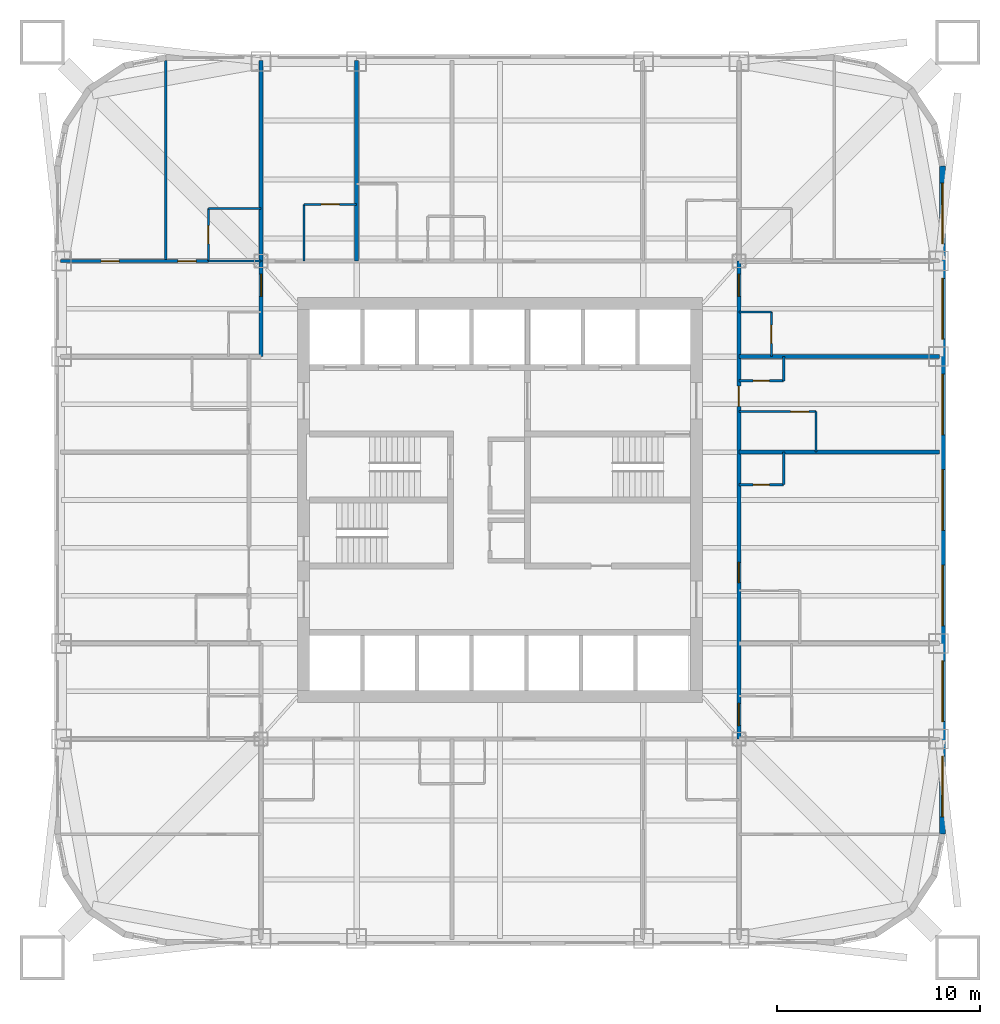
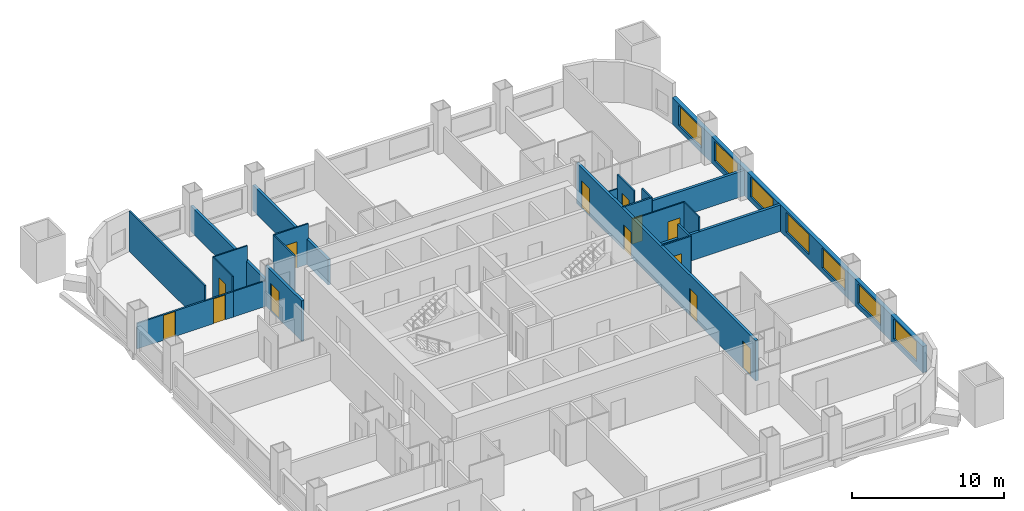
# One storey, part 6 of 9: 22 walls, 13 doors, 7 windows, 20 openings.
"""IFC4 building model written with IfcOpenShell, lengths in metres."""

import ifcopenshell
import ifcopenshell.guid

model = None  # the IFC model being written
_history = None  # IfcOwnerHistory: only IFC2X3 demands one
_inside = {}  # id of a spatial element -> (the spatial element, [elements in it])
_under = {}  # id of a project, library or spatial element -> (it, [spatial elements below it])
_declared = {}  # id of a project -> (the project, [libraries it declares])
_typed = {}  # id of a type object -> (the type object, [elements of that type])
_made_of = {}  # id of a material, layer set ... -> (it, [elements and type objects made of it])


def new_model(schema):
    """Start an empty IFC model of exactly this schema.

    Asked for "IFC4X3", IfcOpenShell would pick the latest addendum, in which some entities
    have other attributes; the version numbers below select the first issue.
    IFC2X3 requires an IfcOwnerHistory on every rooted entity: one is made here for all.
    """
    global model, _history
    if schema == "IFC4X3":
        model = ifcopenshell.file(schema_version=(4, 3, 0, 0))
    else:
        model = ifcopenshell.file(schema=schema)
    _inside.clear()
    _under.clear()
    _declared.clear()
    _typed.clear()
    _made_of.clear()
    _history = None
    if model.schema == "IFC2X3":
        org = make("IfcOrganization", Name="unknown")
        user = make(
            "IfcPersonAndOrganization",
            ThePerson=make("IfcPerson", FamilyName="unknown"),
            TheOrganization=org,
        )
        app = make(
            "IfcApplication",
            ApplicationDeveloper=org,
            Version="unknown",
            ApplicationFullName="unknown",
            ApplicationIdentifier="unknown",
        )
        _history = make(
            "IfcOwnerHistory",
            OwningUser=user,
            OwningApplication=app,
            ChangeAction="ADDED",
            CreationDate=0,
        )
    return model


def make(cls, **values):
    """One entity of the class cls with the attributes given. An attribute that is None is left unset."""
    return model.create_entity(
        cls, **{name: value for name, value in values.items() if value is not None}
    )


def rooted(cls, **values):
    """An entity with a GlobalId (a new one), such as an element, a storey or a relation."""
    return make(cls, GlobalId=ifcopenshell.guid.new(), OwnerHistory=_history, **values)


def si_unit(unit_type, name, prefix=None):
    """IfcSIUnit, for example si_unit("LENGTHUNIT", "METRE", prefix="MILLI")."""
    return make("IfcSIUnit", UnitType=unit_type, Prefix=prefix, Name=name)


def assignment(units):
    """IfcUnitAssignment: the units of a project."""
    return None if units is None else make("IfcUnitAssignment", Units=units)


def point(xyz):
    """IfcCartesianPoint."""
    return None if xyz is None else make("IfcCartesianPoint", Coordinates=xyz)


def direction(xyz):
    """IfcDirection."""
    return None if xyz is None else make("IfcDirection", DirectionRatios=xyz)


def frame(location, z_axis=None, x_axis=None):
    """IfcAxis2Placement3D, a coordinate frame: its origin and axes. An axis left out is left unset."""
    return make(
        "IfcAxis2Placement3D",
        Location=point(location),
        Axis=direction(z_axis),
        RefDirection=direction(x_axis),
    )


def frame_2d(location, x_axis=None):
    """IfcAxis2Placement2D, a coordinate frame in the plane: its origin and x axis."""
    return make(
        "IfcAxis2Placement2D", Location=point(location), RefDirection=direction(x_axis)
    )


def origin():
    """The frame at (0, 0, 0) with its axes left unset."""
    return frame((0.0, 0.0, 0.0))


def place(relative_to, where):
    """IfcLocalPlacement: puts the frame where relative to a parent placement (None: the world)."""
    return make(
        "IfcLocalPlacement", PlacementRelTo=relative_to, RelativePlacement=where
    )


def context(
    kind, dimensions, precision=None, world=None, true_north=None, identifier=None
):
    """IfcGeometricRepresentationContext, for example the 3D "Model" context."""
    return make(
        "IfcGeometricRepresentationContext",
        ContextIdentifier=identifier,
        ContextType=kind,
        CoordinateSpaceDimension=dimensions,
        Precision=precision,
        WorldCoordinateSystem=world,
        TrueNorth=true_north,
    )


def subcontext(parent, identifier, kind, view, scale=None):
    """IfcGeometricRepresentationSubContext, for example "Body" below "Model"."""
    return make(
        "IfcGeometricRepresentationSubContext",
        ContextIdentifier=identifier,
        ContextType=kind,
        ParentContext=parent,
        TargetScale=scale,
        TargetView=view,
    )


def project(units=None, contexts=None):
    """IfcProject with its units and contexts."""
    return rooted(
        "IfcProject",
        Name="project",
        RepresentationContexts=contexts,
        UnitsInContext=assignment(units),
    )


def spatial(cls, under=None, at=None, **own):
    """A site, building, storey or space (cls), placed at a placement, below another one or the project."""
    s = rooted(cls, ObjectPlacement=at, **own)
    if under is not None:
        _under.setdefault(under.id(), (under, []))[1].append(s)
    return s


def profile(cls, at=None, kind="AREA", **sizes):
    """A parametric profile (cls). Its sizes go by their IFC names, for example OverallWidth=200.0."""
    return make(cls, ProfileType=kind, Position=at, **sizes)


def rectangle(**sizes):
    """IfcRectangleProfileDef."""
    return profile("IfcRectangleProfileDef", **sizes)


def extrude(swept, where, along, depth):
    """IfcExtrudedAreaSolid: the profile swept, set in the frame where, extruded along a direction by depth."""
    return make(
        "IfcExtrudedAreaSolid",
        SweptArea=swept,
        Position=where,
        ExtrudedDirection=direction(along),
        Depth=depth,
    )


def shape(context_of_items, identifier, shape_type, items):
    """IfcShapeRepresentation: the items that make up one representation, for example the "Body"."""
    return make(
        "IfcShapeRepresentation",
        ContextOfItems=context_of_items,
        RepresentationIdentifier=identifier,
        RepresentationType=shape_type,
        Items=items,
    )


def material(Name=None, Category=None):
    """IfcMaterial."""
    return make("IfcMaterial", Name=Name, Category=Category)


def layer(
    of_material, thickness, ventilated=None, Name=None, Category=None, Priority=None
):
    """IfcMaterialLayer: one layer of a wall or slab, of a material (None: an air gap)."""
    return make(
        "IfcMaterialLayer",
        Material=of_material,
        LayerThickness=thickness,
        IsVentilated=ventilated,
        Name=Name,
        Category=Category,
        Priority=Priority,
    )


def layer_set(layers, Name=None):
    """IfcMaterialLayerSet."""
    return make("IfcMaterialLayerSet", MaterialLayers=layers, LayerSetName=Name)


def made_of(thing, what):
    """Note that an element or type object is made of a material, layer set ...; save() writes the relation."""
    if what is not None:
        _made_of.setdefault(what.id(), (what, []))[1].append(thing)
    return thing


def type_object(cls, material=None, **own):
    """A type object (cls), such as IfcWallType, which elements share."""
    return made_of(rooted(cls, **own), material)


def element(
    cls,
    number,
    at=None,
    inside=None,
    cuts=None,
    type_object=None,
    material=None,
    context=None,
    identifier="Body",
    shape_type=None,
    held_by="IfcProductDefinitionShape",
    body=None,
    shapes=None,
    **own,
):
    """One element of the class cls, such as IfcWall. Its Tag is "e" and its number.

    at: its placement. inside: the storey or other place that contains it. cuts: it is an
    opening in that element (IfcRelVoidsElement). A single representation is given by context,
    identifier, shape_type and body (its items); several are given by shapes. held_by: the class
    of the entity that holds the representations. save() writes the other relations.
    """
    e = rooted(cls, Tag="e%d" % number, ObjectPlacement=at, **own)
    if body is not None:
        shapes = [shape(context, identifier, shape_type, body)]
    if shapes is not None:
        e.Representation = make(held_by, Representations=shapes)
    if inside is not None:
        _inside.setdefault(inside.id(), (inside, []))[1].append(e)
    if cuts is not None:
        rooted(
            "IfcRelVoidsElement", RelatingBuildingElement=cuts, RelatedOpeningElement=e
        )
    if type_object is not None:
        _typed.setdefault(type_object.id(), (type_object, []))[1].append(e)
    return made_of(e, material)


def fill(opening, filler):
    """IfcRelFillsElement: the door or window that sits in an opening."""
    return rooted(
        "IfcRelFillsElement",
        RelatingOpeningElement=opening,
        RelatedBuildingElement=filler,
    )


def aggregate(whole, parts):
    """IfcRelAggregates: a whole, such as a stair, and the parts it consists of."""
    return rooted("IfcRelAggregates", RelatingObject=whole, RelatedObjects=parts)


def save(model, path):
    """Write the relations noted so far, then the file.

    IfcRelAggregates (storeys below a building ...), IfcRelContainedInSpatialStructure (elements
    in a storey), IfcRelDefinesByType, IfcRelAssociatesMaterial and IfcRelDeclares: one each for
    every whole, place, type object, material and project.
    """
    for whole, parts in _under.values():
        aggregate(whole, parts)
    for where, things in _inside.values():
        rooted(
            "IfcRelContainedInSpatialStructure",
            RelatedElements=things,
            RelatingStructure=where,
        )
    for kind, things in _typed.values():
        rooted("IfcRelDefinesByType", RelatedObjects=things, RelatingType=kind)
    for what, things in _made_of.values():
        rooted("IfcRelAssociatesMaterial", RelatedObjects=things, RelatingMaterial=what)
    for by, libraries in _declared.values():
        rooted("IfcRelDeclares", RelatingContext=by, RelatedDefinitions=libraries)
    model.write(path)


model = new_model("IFC4")

# Units and contexts
model_context = context("Model", 3, precision=1e-05, world=origin(), true_north=direction((0.0, 1.0)))
body_context = subcontext(model_context, "Body", "Model", "MODEL_VIEW")
ifc_project = project(units=[si_unit("LENGTHUNIT", "METRE"), si_unit("AREAUNIT", "SQUARE_METRE"), si_unit("VOLUMEUNIT", "CUBIC_METRE"), si_unit("PLANEANGLEUNIT", "RADIAN"), si_unit("MASSUNIT", "GRAM", prefix="KILO")], contexts=[model_context])

# Site, building, storey
site_placement = place(None, origin())
site = spatial("IfcSite", under=ifc_project, at=site_placement, CompositionType="ELEMENT")
building_placement = place(site_placement, origin())
building = spatial("IfcBuilding", under=site, at=building_placement, Name="Turquesa Mirador Hotel Tower", CompositionType="ELEMENT")
storey_placement = place(building_placement, frame((0.0, 0.0, 84.5)))
storey = spatial("IfcBuildingStorey", under=building, at=storey_placement, Name="L22", CompositionType="ELEMENT", Elevation=84.5)

# Walls
ifc_material_1 = material(Name="Gypsum board on steel studs", Category="steel")
ifc_layer_1 = layer(ifc_material_1, 0.10009765625)
ifc_layer_set_1 = layer_set([ifc_layer_1], Name="BATHROOM WALL 100")
wall_type_1 = type_object("IfcWallType", Name="BATHROOM WALL 100", PredefinedType="PARTITIONING", material=ifc_layer_set_1)
wall_1_placement = place(storey_placement, frame((40.60009765625, 56.800048828125, 0.0), z_axis=(0.0, 0.0, 1.0), x_axis=(1.0, 0.0, 0.0)))
element("IfcWall", 1, at=wall_1_placement, inside=storey, type_object=wall_type_1, Name="Partition L22 018", PredefinedType="PARTITIONING", context=body_context, shape_type="SweptSolid", body=[
    extrude(rectangle(XDim=2.599853515625, YDim=0.10009765625, at=frame_2d((1.2998046875, 0.0))), origin(), (0.0, 0.0, 1.0), 2.050048828125),
])
wall_2_placement = place(storey_placement, frame((40.60009765625, 59.39990234375, 0.0), z_axis=(0.0, 0.0, 1.0), x_axis=(1.0, 0.0, 0.0)))
element("IfcWall", 2, at=wall_2_placement, inside=storey, type_object=wall_type_1, Name="Partition L22 025", PredefinedType="PARTITIONING", context=body_context, shape_type="SweptSolid", body=[
    extrude(rectangle(XDim=2.599853515625, YDim=0.10009765625, at=frame_2d((1.2998046875, 0.0))), origin(), (0.0, 0.0, 1.0), 3.25),
])

# Wall, opening, door
wall_3_placement = place(storey_placement, frame((45.320068359375, 59.60009765625, 0.0), z_axis=(0.0, 0.0, 1.0), x_axis=(1.0, 0.0, 0.0)))
wall_3 = element("IfcWall", 3, at=wall_3_placement, inside=storey, type_object=wall_type_1, Name="Partition L22 027", PredefinedType="PARTITIONING", context=body_context, shape_type="SweptSolid", body=[
    extrude(rectangle(XDim=2.599853515625, YDim=0.10009765625, at=frame_2d((1.2998046875, 0.0))), origin(), (0.0, 0.0, 1.0), 3.25),
])
opening_1_placement = place(wall_3_placement, frame((0.85009765625, 0.0, 0.0)))
opening_1 = element("IfcOpeningElement", 4, at=opening_1_placement, cuts=wall_3, Name="Opening D02", PredefinedType="OPENING", context=body_context, shape_type="SweptSolid", body=[
    extrude(rectangle(XDim=0.89990234375, YDim=2.10009765625, at=frame_2d((0.449951171875, 1.050048828125))), frame((0.0, 0.06005859375, 0.0), z_axis=(0.0, -1.0, 0.0), x_axis=(1.0, 0.0, 0.0)), (0.0, 0.0, 1.0), 0.1201171875),
])
ifc_material_2 = material(Name="Timber veneered door", Category="wood")
door_type_1 = type_object("IfcDoorType", Name="DOOR 900X2100 EN-SUITE", OperationType="SINGLE_SWING_RIGHT", PredefinedType="DOOR", material=ifc_material_2)
door_1_placement = place(opening_1_placement, origin())
door_1 = element("IfcDoor", 5, at=door_1_placement, inside=storey, type_object=door_type_1, Name="Door 2201B", OperationType="SINGLE_SWING_RIGHT", OverallHeight=2.10009765625, OverallWidth=0.89990234375, PredefinedType="DOOR", context=body_context, shape_type="SweptSolid", body=[
    extrude(rectangle(XDim=0.89990234375, YDim=2.10009765625, at=frame_2d((0.449951171875, 1.050048828125))), frame((0.0, 0.02490234375, 0.0), z_axis=(0.0, -1.0, 0.0), x_axis=(1.0, 0.0, 0.0)), (0.0, 0.0, 1.0), 0.050048828125),
])
fill(opening_1, door_1)

wall_4_placement = place(storey_placement, frame((66.800048828125, 49.360107421875, 0.0), z_axis=(0.0, 0.0, 1.0), x_axis=(1.0, 0.0, 0.0)))
wall_4 = element("IfcWall", 6, at=wall_4_placement, inside=storey, type_object=wall_type_1, Name="Partition L22 032", PredefinedType="PARTITIONING", context=body_context, shape_type="SweptSolid", body=[
    extrude(rectangle(XDim=3.800048828125, YDim=0.10009765625, at=frame_2d((1.89990234375, 0.0))), origin(), (0.0, 0.0, 1.0), 3.25),
])
opening_2_placement = place(wall_4_placement, frame((2.550048828125, 0.0, 0.0)))
opening_2 = element("IfcOpeningElement", 7, at=opening_2_placement, cuts=wall_4, Name="Opening D02", PredefinedType="OPENING", context=body_context, shape_type="SweptSolid", body=[
    extrude(rectangle(XDim=0.89990234375, YDim=2.10009765625, at=frame_2d((0.449951171875, 1.050048828125))), frame((0.0, 0.06005859375, 0.0), z_axis=(0.0, -1.0, 0.0), x_axis=(1.0, 0.0, 0.0)), (0.0, 0.0, 1.0), 0.1201171875),
])
door_2_placement = place(opening_2_placement, origin())
door_2 = element("IfcDoor", 8, at=door_2_placement, inside=storey, type_object=door_type_1, Name="Door 2207B", OperationType="SINGLE_SWING_RIGHT", OverallHeight=2.10009765625, OverallWidth=0.89990234375, PredefinedType="DOOR", context=body_context, shape_type="SweptSolid", body=[
    extrude(rectangle(XDim=0.89990234375, YDim=2.10009765625, at=frame_2d((0.449951171875, 1.050048828125))), frame((0.0, 0.02490234375, 0.0), z_axis=(0.0, -1.0, 0.0), x_axis=(1.0, 0.0, 0.0)), (0.0, 0.0, 1.0), 0.050048828125),
])
fill(opening_2, door_2)

# Wall
wall_5_placement = place(storey_placement, frame((66.800048828125, 54.280029296875, 0.0), z_axis=(0.0, 0.0, 1.0), x_axis=(1.0, 0.0, 0.0)))
element("IfcWall", 9, at=wall_5_placement, inside=storey, type_object=wall_type_1, Name="Partition L22 039", PredefinedType="PARTITIONING", context=body_context, shape_type="SweptSolid", body=[
    extrude(rectangle(XDim=1.599853515625, YDim=0.10009765625, at=frame_2d((0.7998046875, 0.0))), origin(), (0.0, 0.0, 1.0), 2.13232421875),
])

# Wall, opening, door
wall_6_placement = place(storey_placement, frame((40.60009765625, 56.800048828125, 0.0), z_axis=(0.0, 0.0, 1.0), x_axis=(0.0, 1.0, 0.0)))
wall_6 = element("IfcWall", 10, at=wall_6_placement, inside=storey, type_object=wall_type_1, Name="Partition L22 049", PredefinedType="PARTITIONING", context=body_context, shape_type="SweptSolid", body=[
    extrude(rectangle(XDim=2.599853515625, YDim=0.10009765625, at=frame_2d((1.2998046875, 0.0))), origin(), (0.0, 0.0, 1.0), 3.25),
])
opening_3_placement = place(wall_6_placement, frame((0.85009765625, 0.0, 0.0)))
opening_3 = element("IfcOpeningElement", 11, at=opening_3_placement, cuts=wall_6, Name="Opening D02", PredefinedType="OPENING", context=body_context, shape_type="SweptSolid", body=[
    extrude(rectangle(XDim=0.89990234375, YDim=2.10009765625, at=frame_2d((0.449951171875, 1.050048828125))), frame((0.0, 0.06005859375, 0.0), z_axis=(0.0, -1.0, 0.0), x_axis=(1.0, 0.0, 0.0)), (0.0, 0.0, 1.0), 0.1201171875),
])
door_3_placement = place(opening_3_placement, origin())
door_3 = element("IfcDoor", 12, at=door_3_placement, inside=storey, type_object=door_type_1, Name="Door 2210B", OperationType="SINGLE_SWING_RIGHT", OverallHeight=2.10009765625, OverallWidth=0.89990234375, PredefinedType="DOOR", context=body_context, shape_type="SweptSolid", body=[
    extrude(rectangle(XDim=0.89990234375, YDim=2.10009765625, at=frame_2d((0.449951171875, 1.050048828125))), frame((0.0, 0.02490234375, 0.0), z_axis=(0.0, -1.0, 0.0), x_axis=(1.0, 0.0, 0.0)), (0.0, 0.0, 1.0), 0.050048828125),
])
fill(opening_3, door_3)

# Wall
wall_7_placement = place(storey_placement, frame((45.320068359375, 56.800048828125, 0.0), z_axis=(0.0, 0.0, 1.0), x_axis=(0.0, 1.0, 0.0)))
element("IfcWall", 13, at=wall_7_placement, inside=storey, type_object=wall_type_1, Name="Partition L22 061", PredefinedType="PARTITIONING", context=body_context, shape_type="SweptSolid", body=[
    extrude(rectangle(XDim=2.800048828125, YDim=0.10009765625, at=frame_2d((1.39990234375, 0.0))), origin(), (0.0, 0.0, 1.0), 3.25),
])

# Wall, opening, door
wall_8_placement = place(storey_placement, frame((68.39990234375, 52.080078125, 0.0), z_axis=(0.0, 0.0, 1.0), x_axis=(0.0, 1.0, 0.0)))
wall_8 = element("IfcWall", 14, at=wall_8_placement, inside=storey, type_object=wall_type_1, Name="Partition L22 065", PredefinedType="PARTITIONING", context=body_context, shape_type="SweptSolid", body=[
    extrude(rectangle(XDim=2.199951171875, YDim=0.10009765625, at=frame_2d((1.10009765625, 0.0))), origin(), (0.0, 0.0, 1.0), 3.25),
])
opening_4_placement = place(wall_8_placement, frame((0.64990234375, 0.0, 0.0)))
opening_4 = element("IfcOpeningElement", 15, at=opening_4_placement, cuts=wall_8, Name="Opening D06", PredefinedType="OPENING", context=body_context, shape_type="SweptSolid", body=[
    extrude(rectangle(XDim=0.89990234375, YDim=2.10009765625, at=frame_2d((0.449951171875, 1.050048828125))), frame((0.0, 0.06005859375, 0.0), z_axis=(0.0, -1.0, 0.0), x_axis=(1.0, 0.0, 0.0)), (0.0, 0.0, 1.0), 0.1201171875),
])
ifc_material_3 = material(Name="Laminate door", Category="wood")
door_type_2 = type_object("IfcDoorType", Name="DOOR 900X2100 WC", OperationType="SINGLE_SWING_LEFT", PredefinedType="DOOR", material=ifc_material_3)
door_4_placement = place(opening_4_placement, origin())
door_4 = element("IfcDoor", 16, at=door_4_placement, inside=storey, type_object=door_type_2, Name="Door 2209W", OperationType="SINGLE_SWING_LEFT", OverallHeight=2.10009765625, OverallWidth=0.89990234375, PredefinedType="DOOR", context=body_context, shape_type="SweptSolid", body=[
    extrude(rectangle(XDim=0.89990234375, YDim=2.10009765625, at=frame_2d((0.449951171875, 1.050048828125))), frame((0.0, 0.02490234375, 0.0), z_axis=(0.0, -1.0, 0.0), x_axis=(1.0, 0.0, 0.0)), (0.0, 0.0, 1.0), 0.050048828125),
])
fill(opening_4, door_4)

# Wall
wall_9_placement = place(storey_placement, frame((70.60009765625, 47.360107421875, 0.0), z_axis=(0.0, 0.0, 1.0), x_axis=(0.0, 1.0, 0.0)))
element("IfcWall", 17, at=wall_9_placement, inside=storey, type_object=wall_type_1, Name="Partition L22 072", PredefinedType="PARTITIONING", context=body_context, shape_type="SweptSolid", body=[
    extrude(rectangle(XDim=2.0, YDim=0.10009765625, at=frame_2d((1.0, 0.0))), origin(), (0.0, 0.0, 1.0), 3.25),
])

# Wall, opening, door
ifc_material_4 = material(Name="Fire-rated gypsum board on steel studs", Category="steel")
ifc_layer_2 = layer(ifc_material_4, 0.199951171875)
ifc_layer_set_2 = layer_set([ifc_layer_2], Name="CORRIDOR WALL 200")
wall_type_2 = type_object("IfcWallType", Name="CORRIDOR WALL 200", PredefinedType="PARTITIONING", material=ifc_layer_set_2)
wall_10_placement = place(storey_placement, frame((43.199951171875, 52.080078125, 0.0), z_axis=(0.0, 0.0, 1.0), x_axis=(0.0, 1.0, 0.0)))
wall_10 = element("IfcWall", 18, at=wall_10_placement, inside=storey, type_object=wall_type_2, Name="Partition L22 043", PredefinedType="PARTITIONING", context=body_context, shape_type="SweptSolid", body=[
    extrude(rectangle(XDim=4.719970703125, YDim=0.199951171875, at=frame_2d((2.35986328125, 0.0))), origin(), (0.0, 0.0, 1.0), 3.25),
])
opening_5_placement = place(wall_10_placement, frame((2.969970703125, 0.0, 0.0)))
opening_5 = element("IfcOpeningElement", 19, at=opening_5_placement, cuts=wall_10, Name="Opening D15", PredefinedType="OPENING", context=body_context, shape_type="SweptSolid", body=[
    extrude(rectangle(XDim=1.10009765625, YDim=2.199951171875, at=frame_2d((0.550048828125, 1.10009765625))), frame((0.0, 0.10986328125, 0.0), z_axis=(0.0, -1.0, 0.0), x_axis=(1.0, 0.0, 0.0)), (0.0, 0.0, 1.0), 0.219970703125),
])
ifc_material_5 = material(Name="Timber veneered fire door", Category="wood")
door_type_3 = type_object("IfcDoorType", Name="DOOR 1100X2200 SUITE ENTRY", OperationType="SINGLE_SWING_LEFT", PredefinedType="DOOR", material=ifc_material_5)
door_5_placement = place(opening_5_placement, origin())
door_5 = element("IfcDoor", 20, at=door_5_placement, inside=storey, type_object=door_type_3, Name="Door 2210", OperationType="SINGLE_SWING_LEFT", OverallHeight=2.199951171875, OverallWidth=1.10009765625, PredefinedType="DOOR", context=body_context, shape_type="SweptSolid", body=[
    extrude(rectangle(XDim=1.10009765625, YDim=2.199951171875, at=frame_2d((0.550048828125, 1.10009765625))), frame((0.0, 0.02490234375, 0.0), z_axis=(0.0, -1.0, 0.0), x_axis=(1.0, 0.0, 0.0)), (0.0, 0.0, 1.0), 0.050048828125),
])
fill(opening_5, door_5)

# Wall, openings, doors
wall_11_placement = place(storey_placement, frame((66.800048828125, 33.199951171875, 0.0), z_axis=(0.0, 0.0, 1.0), x_axis=(0.0, 1.0, 0.0)))
wall_11 = element("IfcWall", 21, at=wall_11_placement, inside=storey, type_object=wall_type_2, Name="Partition L22 062", PredefinedType="PARTITIONING", context=body_context, shape_type="SweptSolid", body=[
    extrude(rectangle(XDim=23.60009765625, YDim=0.199951171875, at=frame_2d((11.800048828125, 0.0))), origin(), (0.0, 0.0, 1.0), 3.25),
])
opening_6_placement = place(wall_11_placement, frame((7.719970703125, 0.0, 0.0)))
opening_6 = element("IfcOpeningElement", 22, at=opening_6_placement, cuts=wall_11, Name="Opening D01", PredefinedType="OPENING", context=body_context, shape_type="SweptSolid", body=[
    extrude(rectangle(XDim=1.0, YDim=2.199951171875, at=frame_2d((0.5, 1.10009765625))), frame((0.0, 0.10986328125, 0.0), z_axis=(0.0, -1.0, 0.0), x_axis=(1.0, 0.0, 0.0)), (0.0, 0.0, 1.0), 0.219970703125),
])
opening_7_placement = place(wall_11_placement, frame((16.419921875, 0.0, 0.0)))
opening_7 = element("IfcOpeningElement", 23, at=opening_7_placement, cuts=wall_11, Name="Opening D22", PredefinedType="OPENING", context=body_context, shape_type="SweptSolid", body=[
    extrude(rectangle(XDim=1.0, YDim=2.0, at=frame_2d((0.5, 1.0))), frame((0.0, 0.10986328125, 0.0), z_axis=(0.0, -1.0, 0.0), x_axis=(1.0, 0.0, 0.0)), (0.0, 0.0, 1.0), 0.219970703125),
])
opening_8_placement = place(wall_11_placement, frame((21.85009765625, 0.0, 0.0)))
opening_8 = element("IfcOpeningElement", 24, at=opening_8_placement, cuts=wall_11, Name="Opening D15", PredefinedType="OPENING", context=body_context, shape_type="SweptSolid", body=[
    extrude(rectangle(XDim=1.10009765625, YDim=2.199951171875, at=frame_2d((0.550048828125, 1.10009765625))), frame((0.0, 0.10986328125, 0.0), z_axis=(0.0, -1.0, 0.0), x_axis=(1.0, 0.0, 0.0)), (0.0, 0.0, 1.0), 0.219970703125),
])
opening_9_placement = place(wall_11_placement, frame((0.659912109375, 0.0, 0.0)))
opening_9 = element("IfcOpeningElement", 25, at=opening_9_placement, cuts=wall_11, Name="Opening D15", PredefinedType="OPENING", context=body_context, shape_type="SweptSolid", body=[
    extrude(rectangle(XDim=1.10009765625, YDim=2.199951171875, at=frame_2d((0.550048828125, 1.10009765625))), frame((0.0, 0.10986328125, 0.0), z_axis=(0.0, -1.0, 0.0), x_axis=(1.0, 0.0, 0.0)), (0.0, 0.0, 1.0), 0.219970703125),
])
ifc_material_6 = material(Name="Timber veneered fire door", Category="wood")
door_type_4 = type_object("IfcDoorType", Name="DOOR 1000X2000 GUEST ENTRY", OperationType="SINGLE_SWING_LEFT", PredefinedType="DOOR", material=ifc_material_6)
door_6_placement = place(opening_7_placement, origin())
door_6 = element("IfcDoor", 26, at=door_6_placement, inside=storey, type_object=door_type_4, Name="Door 2207", OperationType="SINGLE_SWING_LEFT", OverallHeight=2.0, OverallWidth=1.0, PredefinedType="DOOR", context=body_context, shape_type="SweptSolid", body=[
    extrude(rectangle(XDim=1.0, YDim=2.0, at=frame_2d((0.5, 1.0))), frame((0.0, 0.02490234375, 0.0), z_axis=(0.0, -1.0, 0.0), x_axis=(1.0, 0.0, 0.0)), (0.0, 0.0, 1.0), 0.050048828125),
])
fill(opening_7, door_6)
ifc_material_7 = material(Name="Timber veneered fire door", Category="wood")
door_type_5 = type_object("IfcDoorType", Name="DOOR 1000X2200 GUEST ENTRY", OperationType="SINGLE_SWING_LEFT", PredefinedType="DOOR", material=ifc_material_7)
door_7_placement = place(opening_6_placement, origin())
door_7 = element("IfcDoor", 27, at=door_7_placement, inside=storey, type_object=door_type_5, Name="Door 2206", OperationType="SINGLE_SWING_LEFT", OverallHeight=2.199951171875, OverallWidth=1.0, PredefinedType="DOOR", context=body_context, shape_type="SweptSolid", body=[
    extrude(rectangle(XDim=1.0, YDim=2.199951171875, at=frame_2d((0.5, 1.10009765625))), frame((0.0, 0.02490234375, 0.0), z_axis=(0.0, -1.0, 0.0), x_axis=(1.0, 0.0, 0.0)), (0.0, 0.0, 1.0), 0.050048828125),
])
fill(opening_6, door_7)
door_8_placement = place(opening_8_placement, origin())
door_8 = element("IfcDoor", 28, at=door_8_placement, inside=storey, type_object=door_type_3, Name="Door 2209", OperationType="SINGLE_SWING_LEFT", OverallHeight=2.199951171875, OverallWidth=1.10009765625, PredefinedType="DOOR", context=body_context, shape_type="SweptSolid", body=[
    extrude(rectangle(XDim=1.10009765625, YDim=2.199951171875, at=frame_2d((0.550048828125, 1.10009765625))), frame((0.0, 0.02490234375, 0.0), z_axis=(0.0, -1.0, 0.0), x_axis=(1.0, 0.0, 0.0)), (0.0, 0.0, 1.0), 0.050048828125),
])
fill(opening_8, door_8)
door_9_placement = place(opening_9_placement, origin())
door_9 = element("IfcDoor", 29, at=door_9_placement, inside=storey, type_object=door_type_3, Name="Door 2212H", OperationType="SINGLE_SWING_LEFT", OverallHeight=2.199951171875, OverallWidth=1.10009765625, PredefinedType="DOOR", context=body_context, shape_type="SweptSolid", body=[
    extrude(rectangle(XDim=1.10009765625, YDim=2.199951171875, at=frame_2d((0.550048828125, 1.10009765625))), frame((0.0, 0.02490234375, 0.0), z_axis=(0.0, -1.0, 0.0), x_axis=(1.0, 0.0, 0.0)), (0.0, 0.0, 1.0), 0.050048828125),
])
fill(opening_9, door_9)

# Wall, openings, windows
ifc_material_8 = material(Name="Limestone cladding on concrete block", Category="masonry")
ifc_layer_3 = layer(ifc_material_8, 0.300048828125)
ifc_layer_set_3 = layer_set([ifc_layer_3], Name="FACADE WALL 300 STONE SCREEN")
wall_type_3 = type_object("IfcWallType", Name="FACADE WALL 300 STONE SCREEN", PredefinedType="SOLIDWALL", material=ifc_layer_set_3)
wall_12_placement = place(storey_placement, frame((76.85009765625, 28.5, 0.0), z_axis=(0.0, 0.0, 1.0), x_axis=(0.0, 1.0, 0.0)))
wall_12 = element("IfcWall", 30, at=wall_12_placement, inside=storey, type_object=wall_type_3, Name="Facade wall L22 04", PredefinedType="SOLIDWALL", context=body_context, shape_type="SweptSolid", body=[
    extrude(rectangle(XDim=33.0, YDim=0.300048828125, at=frame_2d((16.5, 0.0))), origin(), (0.0, 0.0, 1.0), 2.13232421875),
])
opening_10_placement = place(wall_12_placement, frame((0.85009765625, 0.0, 0.39990234375)))
opening_10 = element("IfcOpeningElement", 31, at=opening_10_placement, cuts=wall_12, Name="Opening WN7", PredefinedType="OPENING", context=body_context, shape_type="SweptSolid", body=[
    extrude(rectangle(XDim=3.0, YDim=1.60009765625, at=frame_2d((1.5, 0.800048828125))), frame((0.0, 0.159912109375, 0.0), z_axis=(0.0, -1.0, 0.0), x_axis=(1.0, 0.0, 0.0)), (0.0, 0.0, 1.0), 0.320068359375),
])
opening_11_placement = place(wall_12_placement, frame((5.56005859375, 0.0, 0.39990234375)))
opening_11 = element("IfcOpeningElement", 32, at=opening_11_placement, cuts=wall_12, Name="Opening WN7", PredefinedType="OPENING", context=body_context, shape_type="SweptSolid", body=[
    extrude(rectangle(XDim=3.0, YDim=1.60009765625, at=frame_2d((1.5, 0.800048828125))), frame((0.0, 0.159912109375, 0.0), z_axis=(0.0, -1.0, 0.0), x_axis=(1.0, 0.0, 0.0)), (0.0, 0.0, 1.0), 0.320068359375),
])
opening_12_placement = place(wall_12_placement, frame((10.280029296875, 0.0, 0.39990234375)))
opening_12 = element("IfcOpeningElement", 33, at=opening_12_placement, cuts=wall_12, Name="Opening WN7", PredefinedType="OPENING", context=body_context, shape_type="SweptSolid", body=[
    extrude(rectangle(XDim=3.0, YDim=1.60009765625, at=frame_2d((1.5, 0.800048828125))), frame((0.0, 0.159912109375, 0.0), z_axis=(0.0, -1.0, 0.0), x_axis=(1.0, 0.0, 0.0)), (0.0, 0.0, 1.0), 0.320068359375),
])
opening_13_placement = place(wall_12_placement, frame((15.0, 0.0, 0.39990234375)))
opening_13 = element("IfcOpeningElement", 34, at=opening_13_placement, cuts=wall_12, Name="Opening WN7", PredefinedType="OPENING", context=body_context, shape_type="SweptSolid", body=[
    extrude(rectangle(XDim=3.0, YDim=1.60009765625, at=frame_2d((1.5, 0.800048828125))), frame((0.0, 0.159912109375, 0.0), z_axis=(0.0, -1.0, 0.0), x_axis=(1.0, 0.0, 0.0)), (0.0, 0.0, 1.0), 0.320068359375),
])
opening_14_placement = place(wall_12_placement, frame((19.719970703125, 0.0, 0.39990234375)))
opening_14 = element("IfcOpeningElement", 35, at=opening_14_placement, cuts=wall_12, Name="Opening WN7", PredefinedType="OPENING", context=body_context, shape_type="SweptSolid", body=[
    extrude(rectangle(XDim=3.0, YDim=1.60009765625, at=frame_2d((1.5, 0.800048828125))), frame((0.0, 0.159912109375, 0.0), z_axis=(0.0, -1.0, 0.0), x_axis=(1.0, 0.0, 0.0)), (0.0, 0.0, 1.0), 0.320068359375),
])
opening_15_placement = place(wall_12_placement, frame((24.43994140625, 0.0, 0.39990234375)))
opening_15 = element("IfcOpeningElement", 36, at=opening_15_placement, cuts=wall_12, Name="Opening WN7", PredefinedType="OPENING", context=body_context, shape_type="SweptSolid", body=[
    extrude(rectangle(XDim=3.0, YDim=1.60009765625, at=frame_2d((1.5, 0.800048828125))), frame((0.0, 0.159912109375, 0.0), z_axis=(0.0, -1.0, 0.0), x_axis=(1.0, 0.0, 0.0)), (0.0, 0.0, 1.0), 0.320068359375),
])
opening_16_placement = place(wall_12_placement, frame((29.14990234375, 0.0, 0.39990234375)))
opening_16 = element("IfcOpeningElement", 37, at=opening_16_placement, cuts=wall_12, Name="Opening WN7", PredefinedType="OPENING", context=body_context, shape_type="SweptSolid", body=[
    extrude(rectangle(XDim=3.0, YDim=1.60009765625, at=frame_2d((1.5, 0.800048828125))), frame((0.0, 0.159912109375, 0.0), z_axis=(0.0, -1.0, 0.0), x_axis=(1.0, 0.0, 0.0)), (0.0, 0.0, 1.0), 0.320068359375),
])
ifc_material_9 = material(Name="Ceramic-fritted laminated glass", Category="glass")
window_type = type_object("IfcWindowType", Name="FRITTED WINDOW 3000X1600", PartitioningType="DOUBLE_PANEL_HORIZONTAL", PredefinedType="WINDOW", material=ifc_material_9)
window_1_placement = place(opening_10_placement, origin())
window_1 = element("IfcWindow", 38, at=window_1_placement, inside=storey, type_object=window_type, Name="Window L22", OverallHeight=1.60009765625, OverallWidth=3.0, PartitioningType="SINGLE_PANEL", PredefinedType="WINDOW", context=body_context, shape_type="SweptSolid", body=[
    extrude(rectangle(XDim=3.0, YDim=1.60009765625, at=frame_2d((1.5, 0.800048828125))), frame((0.0, 0.030029296875, 0.0), z_axis=(0.0, -1.0, 0.0), x_axis=(1.0, 0.0, 0.0)), (0.0, 0.0, 1.0), 0.06005859375),
])
fill(opening_10, window_1)
window_2_placement = place(opening_11_placement, origin())
window_2 = element("IfcWindow", 39, at=window_2_placement, inside=storey, type_object=window_type, Name="Window L22", OverallHeight=1.60009765625, OverallWidth=3.0, PartitioningType="SINGLE_PANEL", PredefinedType="WINDOW", context=body_context, shape_type="SweptSolid", body=[
    extrude(rectangle(XDim=3.0, YDim=1.60009765625, at=frame_2d((1.5, 0.800048828125))), frame((0.0, 0.030029296875, 0.0), z_axis=(0.0, -1.0, 0.0), x_axis=(1.0, 0.0, 0.0)), (0.0, 0.0, 1.0), 0.06005859375),
])
fill(opening_11, window_2)
window_3_placement = place(opening_12_placement, origin())
window_3 = element("IfcWindow", 40, at=window_3_placement, inside=storey, type_object=window_type, Name="Window L22", OverallHeight=1.60009765625, OverallWidth=3.0, PartitioningType="SINGLE_PANEL", PredefinedType="WINDOW", context=body_context, shape_type="SweptSolid", body=[
    extrude(rectangle(XDim=3.0, YDim=1.60009765625, at=frame_2d((1.5, 0.800048828125))), frame((0.0, 0.030029296875, 0.0), z_axis=(0.0, -1.0, 0.0), x_axis=(1.0, 0.0, 0.0)), (0.0, 0.0, 1.0), 0.06005859375),
])
fill(opening_12, window_3)
window_4_placement = place(opening_13_placement, origin())
window_4 = element("IfcWindow", 41, at=window_4_placement, inside=storey, type_object=window_type, Name="Window L22", OverallHeight=1.60009765625, OverallWidth=3.0, PartitioningType="SINGLE_PANEL", PredefinedType="WINDOW", context=body_context, shape_type="SweptSolid", body=[
    extrude(rectangle(XDim=3.0, YDim=1.60009765625, at=frame_2d((1.5, 0.800048828125))), frame((0.0, 0.030029296875, 0.0), z_axis=(0.0, -1.0, 0.0), x_axis=(1.0, 0.0, 0.0)), (0.0, 0.0, 1.0), 0.06005859375),
])
fill(opening_13, window_4)
window_5_placement = place(opening_14_placement, origin())
window_5 = element("IfcWindow", 42, at=window_5_placement, inside=storey, type_object=window_type, Name="Window L22", OverallHeight=1.60009765625, OverallWidth=3.0, PartitioningType="SINGLE_PANEL", PredefinedType="WINDOW", context=body_context, shape_type="SweptSolid", body=[
    extrude(rectangle(XDim=3.0, YDim=1.60009765625, at=frame_2d((1.5, 0.800048828125))), frame((0.0, 0.030029296875, 0.0), z_axis=(0.0, -1.0, 0.0), x_axis=(1.0, 0.0, 0.0)), (0.0, 0.0, 1.0), 0.06005859375),
])
fill(opening_14, window_5)
window_6_placement = place(opening_15_placement, origin())
window_6 = element("IfcWindow", 43, at=window_6_placement, inside=storey, type_object=window_type, Name="Window L22", OverallHeight=1.60009765625, OverallWidth=3.0, PartitioningType="SINGLE_PANEL", PredefinedType="WINDOW", context=body_context, shape_type="SweptSolid", body=[
    extrude(rectangle(XDim=3.0, YDim=1.60009765625, at=frame_2d((1.5, 0.800048828125))), frame((0.0, 0.030029296875, 0.0), z_axis=(0.0, -1.0, 0.0), x_axis=(1.0, 0.0, 0.0)), (0.0, 0.0, 1.0), 0.06005859375),
])
fill(opening_15, window_6)
window_7_placement = place(opening_16_placement, origin())
window_7 = element("IfcWindow", 44, at=window_7_placement, inside=storey, type_object=window_type, Name="Window L22", OverallHeight=1.60009765625, OverallWidth=3.0, PartitioningType="SINGLE_PANEL", PredefinedType="WINDOW", context=body_context, shape_type="SweptSolid", body=[
    extrude(rectangle(XDim=3.0, YDim=1.60009765625, at=frame_2d((1.5, 0.800048828125))), frame((0.0, 0.030029296875, 0.0), z_axis=(0.0, -1.0, 0.0), x_axis=(1.0, 0.0, 0.0)), (0.0, 0.0, 1.0), 0.06005859375),
])
fill(opening_16, window_7)

# Walls
ifc_material_10 = material(Name="Fire-rated gypsum board on steel studs", Category="steel")
ifc_layer_4 = layer(ifc_material_10, 0.199951171875)
ifc_layer_set_4 = layer_set([ifc_layer_4], Name="PARTY WALL 200")
wall_type_4 = type_object("IfcWallType", Name="PARTY WALL 200", PredefinedType="PARTITIONING", material=ifc_layer_set_4)
wall_13_placement = place(storey_placement, frame((66.800048828125, 47.360107421875, 0.0), z_axis=(0.0, 0.0, 1.0), x_axis=(1.0, 0.0, 0.0)))
element("IfcWall", 45, at=wall_13_placement, inside=storey, type_object=wall_type_4, Name="Partition L22 031", PredefinedType="PARTITIONING", context=body_context, shape_type="SweptSolid", body=[
    extrude(rectangle(XDim=9.89990234375, YDim=0.199951171875, at=frame_2d((4.949951171875, 0.0))), origin(), (0.0, 0.0, 1.0), 2.13232421875),
])
for number, where, z_axis, x_axis, name in (
    (46, (66.800048828125, 52.080078125, 0.0), (0.0, 0.0, 1.0), (1.0, 0.0, 0.0), "Partition L22 037"),
    (47, (43.199951171875, 56.800048828125, 0.0), (0.0, 0.0, 1.0), (0.0, 1.0, 0.0), "Partition L22 045"),
    (48, (47.919921875, 56.800048828125, 0.0), (0.0, 0.0, 1.0), (0.0, 1.0, 0.0), "Partition L22 059"),
):
    element("IfcWall", number, at=place(storey_placement, frame(where, z_axis=z_axis, x_axis=x_axis)), inside=storey, type_object=wall_type_4, Name=name, PredefinedType="PARTITIONING", context=body_context, shape_type="SweptSolid", body=[
        extrude(rectangle(XDim=9.89990234375, YDim=0.199951171875, at=frame_2d((4.949951171875, 0.0))), origin(), (0.0, 0.0, 1.0), 2.050048828125),
    ])

# Wall, opening, door
ifc_material_11 = material(Name="Acoustic gypsum board on steel studs", Category="steel")
ifc_layer_5 = layer(ifc_material_11, 0.125)
ifc_layer_set_5 = layer_set([ifc_layer_5], Name="SUITE PARTITION 125")
wall_type_5 = type_object("IfcWallType", Name="SUITE PARTITION 125", PredefinedType="PARTITIONING", material=ifc_layer_set_5)
wall_14_placement = place(storey_placement, frame((66.800048828125, 45.760009765625, 0.0), z_axis=(0.0, 0.0, 1.0), x_axis=(1.0, 0.0, 0.0)))
wall_14 = element("IfcWall", 49, at=wall_14_placement, inside=storey, type_object=wall_type_5, Name="Partition L22 017", PredefinedType="PARTITIONING", context=body_context, shape_type="SweptSolid", body=[
    extrude(rectangle(XDim=2.199951171875, YDim=0.125, at=frame_2d((1.10009765625, 0.0))), origin(), (0.0, 0.0, 1.0), 3.25),
])
opening_17_placement = place(wall_14_placement, frame((0.699951171875, 0.0, 0.0)))
opening_17 = element("IfcOpeningElement", 50, at=opening_17_placement, cuts=wall_14, Name="Opening D20", PredefinedType="OPENING", context=body_context, shape_type="SweptSolid", body=[
    extrude(rectangle(XDim=0.800048828125, YDim=2.10009765625, at=frame_2d((0.39990234375, 1.050048828125))), frame((0.0, 0.072509765625, 0.0), z_axis=(0.0, -1.0, 0.0), x_axis=(1.0, 0.0, 0.0)), (0.0, 0.0, 1.0), 0.14501953125),
])
ifc_material_12 = material(Name="Timber veneered sliding door", Category="wood")
door_type_6 = type_object("IfcDoorType", Name="DOOR 800X2100 WARDROBE", OperationType="SLIDING_TO_LEFT", PredefinedType="DOOR", material=ifc_material_12)
door_10_placement = place(opening_17_placement, origin())
door_10 = element("IfcDoor", 51, at=door_10_placement, inside=storey, type_object=door_type_6, Name="Door 2206W", OperationType="SLIDING_TO_LEFT", OverallHeight=2.10009765625, OverallWidth=0.800048828125, PredefinedType="DOOR", context=body_context, shape_type="SweptSolid", body=[
    extrude(rectangle(XDim=0.800048828125, YDim=2.10009765625, at=frame_2d((0.39990234375, 1.050048828125))), frame((0.0, 0.02490234375, 0.0), z_axis=(0.0, -1.0, 0.0), x_axis=(1.0, 0.0, 0.0)), (0.0, 0.0, 1.0), 0.050048828125),
])
fill(opening_17, door_10)

# Wall, openings, doors
wall_15_placement = place(storey_placement, frame((33.300048828125, 56.800048828125, 0.0), z_axis=(0.0, 0.0, 1.0), x_axis=(1.0, 0.0, 0.0)))
wall_15 = element("IfcWall", 52, at=wall_15_placement, inside=storey, type_object=wall_type_5, Name="Partition L22 021", PredefinedType="PARTITIONING", context=body_context, shape_type="SweptSolid", body=[
    extrude(rectangle(XDim=7.300048828125, YDim=0.125, at=frame_2d((3.64990234375, 0.0))), origin(), (0.0, 0.0, 1.0), 2.050048828125),
])
opening_18_placement = place(wall_15_placement, frame((5.800048828125, 0.0, 0.0)))
opening_18 = element("IfcOpeningElement", 53, at=opening_18_placement, cuts=wall_15, Name="Opening D24", PredefinedType="OPENING", context=body_context, shape_type="SweptSolid", body=[
    extrude(rectangle(XDim=0.89990234375, YDim=2.0, at=frame_2d((0.449951171875, 1.0))), frame((0.0, 0.072509765625, 0.0), z_axis=(0.0, -1.0, 0.0), x_axis=(1.0, 0.0, 0.0)), (0.0, 0.0, 1.0), 0.14501953125),
])
opening_19_placement = place(wall_15_placement, frame((2.0, 0.0, 0.0)))
opening_19 = element("IfcOpeningElement", 54, at=opening_19_placement, cuts=wall_15, Name="Opening D24", PredefinedType="OPENING", context=body_context, shape_type="SweptSolid", body=[
    extrude(rectangle(XDim=0.89990234375, YDim=2.0, at=frame_2d((0.449951171875, 1.0))), frame((0.0, 0.072509765625, 0.0), z_axis=(0.0, -1.0, 0.0), x_axis=(1.0, 0.0, 0.0)), (0.0, 0.0, 1.0), 0.14501953125),
])
ifc_material_13 = material(Name="Timber veneered door", Category="wood")
door_type_7 = type_object("IfcDoorType", Name="DOOR 900X2000 SUITE INTERNAL", OperationType="SINGLE_SWING_LEFT", PredefinedType="DOOR", material=ifc_material_13)
door_11_placement = place(opening_18_placement, origin())
door_11 = element("IfcDoor", 55, at=door_11_placement, inside=storey, type_object=door_type_7, Name="Door 2210R", OperationType="SINGLE_SWING_LEFT", OverallHeight=2.0, OverallWidth=0.89990234375, PredefinedType="DOOR", context=body_context, shape_type="SweptSolid", body=[
    extrude(rectangle(XDim=0.89990234375, YDim=2.0, at=frame_2d((0.449951171875, 1.0))), frame((0.0, 0.02490234375, 0.0), z_axis=(0.0, -1.0, 0.0), x_axis=(1.0, 0.0, 0.0)), (0.0, 0.0, 1.0), 0.050048828125),
])
fill(opening_18, door_11)
door_12_placement = place(opening_19_placement, origin())
door_12 = element("IfcDoor", 56, at=door_12_placement, inside=storey, type_object=door_type_7, Name="Door 2210S", OperationType="SINGLE_SWING_LEFT", OverallHeight=2.0, OverallWidth=0.89990234375, PredefinedType="DOOR", context=body_context, shape_type="SweptSolid", body=[
    extrude(rectangle(XDim=0.89990234375, YDim=2.0, at=frame_2d((0.449951171875, 1.0))), frame((0.0, 0.02490234375, 0.0), z_axis=(0.0, -1.0, 0.0), x_axis=(1.0, 0.0, 0.0)), (0.0, 0.0, 1.0), 0.050048828125),
])
fill(opening_19, door_12)

# Wall, opening, door
wall_16_placement = place(storey_placement, frame((66.800048828125, 50.8798828125, 0.0), z_axis=(0.0, 0.0, 1.0), x_axis=(1.0, 0.0, 0.0)))
wall_16 = element("IfcWall", 57, at=wall_16_placement, inside=storey, type_object=wall_type_5, Name="Partition L22 034", PredefinedType="PARTITIONING", context=body_context, shape_type="SweptSolid", body=[
    extrude(rectangle(XDim=2.199951171875, YDim=0.125, at=frame_2d((1.10009765625, 0.0))), origin(), (0.0, 0.0, 1.0), 3.25),
])
opening_20_placement = place(wall_16_placement, frame((0.699951171875, 0.0, 0.0)))
opening_20 = element("IfcOpeningElement", 58, at=opening_20_placement, cuts=wall_16, Name="Opening D20", PredefinedType="OPENING", context=body_context, shape_type="SweptSolid", body=[
    extrude(rectangle(XDim=0.800048828125, YDim=2.10009765625, at=frame_2d((0.39990234375, 1.050048828125))), frame((0.0, 0.072509765625, 0.0), z_axis=(0.0, -1.0, 0.0), x_axis=(1.0, 0.0, 0.0)), (0.0, 0.0, 1.0), 0.14501953125),
])
door_13_placement = place(opening_20_placement, origin())
door_13 = element("IfcDoor", 59, at=door_13_placement, inside=storey, type_object=door_type_6, Name="Door 2207W", OperationType="SLIDING_TO_LEFT", OverallHeight=2.10009765625, OverallWidth=0.800048828125, PredefinedType="DOOR", context=body_context, shape_type="SweptSolid", body=[
    extrude(rectangle(XDim=0.800048828125, YDim=2.10009765625, at=frame_2d((0.39990234375, 1.050048828125))), frame((0.0, 0.02490234375, 0.0), z_axis=(0.0, -1.0, 0.0), x_axis=(1.0, 0.0, 0.0)), (0.0, 0.0, 1.0), 0.050048828125),
])
fill(opening_20, door_13)

# Walls
wall_17_placement = place(storey_placement, frame((38.5, 56.800048828125, 0.0), z_axis=(0.0, 0.0, 1.0), x_axis=(0.0, 1.0, 0.0)))
element("IfcWall", 60, at=wall_17_placement, inside=storey, type_object=wall_type_5, Name="Partition L22 053", PredefinedType="PARTITIONING", context=body_context, shape_type="SweptSolid", body=[
    extrude(rectangle(XDim=9.89404296875, YDim=0.125, at=frame_2d((4.947021484375, 0.0))), origin(), (0.0, 0.0, 1.0), 3.25),
])
wall_18_placement = place(storey_placement, frame((69.0, 45.760009765625, 0.0), z_axis=(0.0, 0.0, 1.0), x_axis=(0.0, 1.0, 0.0)))
element("IfcWall", 61, at=wall_18_placement, inside=storey, type_object=wall_type_5, Name="Partition L22 066", PredefinedType="PARTITIONING", context=body_context, shape_type="SweptSolid", body=[
    extrude(rectangle(XDim=1.60009765625, YDim=0.125, at=frame_2d((0.800048828125, 0.0))), origin(), (0.0, 0.0, 1.0), 3.25),
])
wall_19_placement = place(storey_placement, frame((69.0, 50.8798828125, 0.0), z_axis=(0.0, 0.0, 1.0), x_axis=(0.0, 1.0, 0.0)))
element("IfcWall", 62, at=wall_19_placement, inside=storey, type_object=wall_type_5, Name="Partition L22 067", PredefinedType="PARTITIONING", context=body_context, shape_type="SweptSolid", body=[
    extrude(rectangle(XDim=1.2001953125, YDim=0.125, at=frame_2d((0.60009765625, 0.0))), origin(), (0.0, 0.0, 1.0), 3.25),
])

save(model, "model.ifc")
